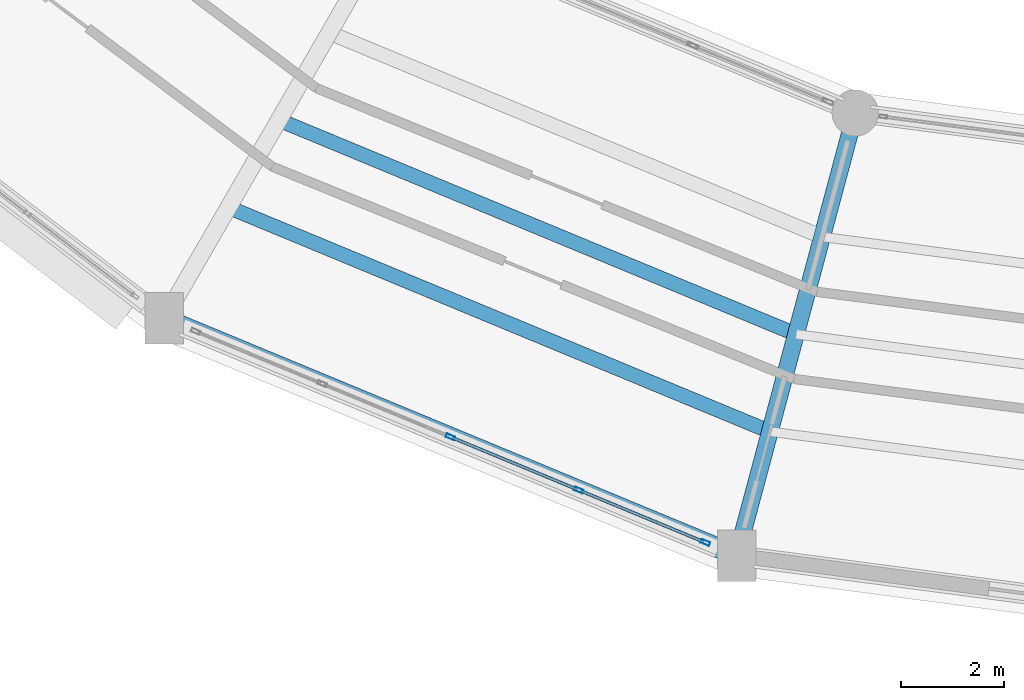
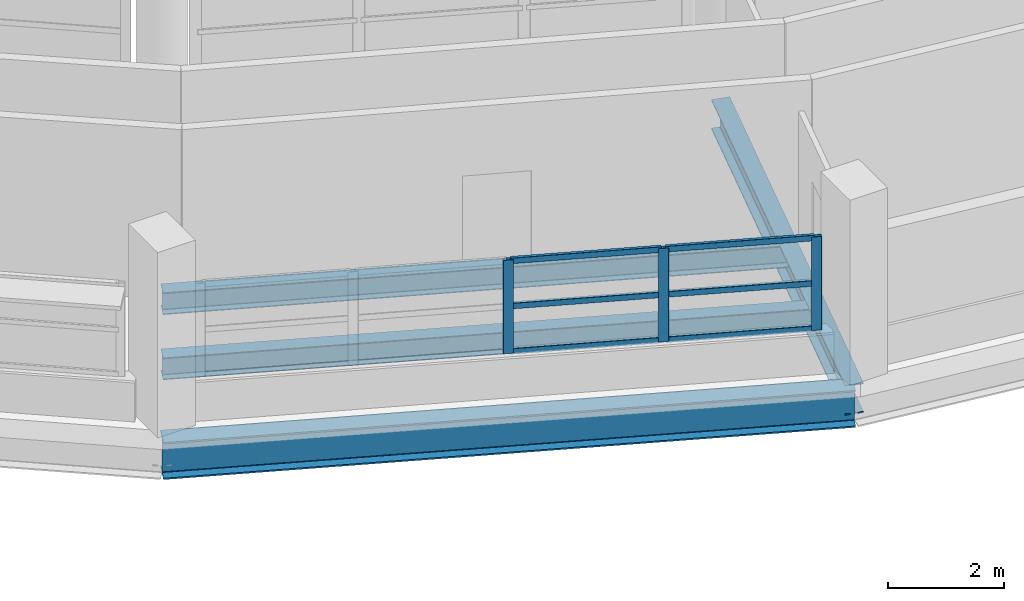
# One storey, part 18 of 108: 9 members, 4 beams, 1 element without a shape of its own.
"""IFC4 building model written with IfcOpenShell, lengths in metres."""

from ifc_helpers import new_model, si_unit, direction, frame, origin, origin_2d, place, context, subcontext, project, spatial, hollow_rectangle, i_section, extrude, material, layer, layer_set, material_profile, profile_set, type_object, element, aggregate, save


model = new_model("IFC4")

# Units and contexts
model_context = context("Model", 3, precision=1e-05, world=origin(), true_north=direction((0.0, 1.0)))
body_context = subcontext(model_context, "Body", "Model", "MODEL_VIEW")
ifc_project = project(units=[si_unit("LENGTHUNIT", "METRE"), si_unit("AREAUNIT", "SQUARE_METRE"), si_unit("VOLUMEUNIT", "CUBIC_METRE"), si_unit("PLANEANGLEUNIT", "RADIAN"), si_unit("MASSUNIT", "GRAM", prefix="KILO")], contexts=[model_context])

# Site, building, storey
site_placement = place(None, origin())
site = spatial("IfcSite", under=ifc_project, at=site_placement, CompositionType="ELEMENT")
building_placement = place(site_placement, origin())
building = spatial("IfcBuilding", under=site, at=building_placement, Name="Vespera Passage Community Centre", CompositionType="ELEMENT")
storey_placement = place(building_placement, frame((0.0, 0.0, 12.60009765625)))
storey = spatial("IfcBuildingStorey", under=building, at=storey_placement, Name="L03", CompositionType="ELEMENT", Elevation=12.60009765625)

# Beams
ifc_material_1 = material(Name="Steel ASTM A992 Grade 50", Category="steel")
ifc_material_profile_1 = material_profile(ifc_material_1, i_section(OverallWidth=0.32763671875, OverallDepth=0.62841796875, WebThickness=0.0166015625, FlangeThickness=0.027587890625, FilletRadius=0.0126953125, at=origin_2d()), Name="W24X146")
ifc_profile_set_1 = profile_set([ifc_material_profile_1], Name="Steel ASTM A992 Grade 50")
beam_type_1 = type_object("IfcBeamType", Name="BM-G-W24X146", PredefinedType="BEAM", material=ifc_profile_set_1)
beam_1_placement = place(storey_placement, frame((68.371826171875, 29.567626953125, -0.71435546875), z_axis=(-0.258811497245, -0.9659278487, 0.0), x_axis=(0.9659278487, -0.258811497245, 0.0)))
element("IfcBeam", 1, at=beam_1_placement, inside=storey, type_object=beam_type_1, Name="V4 L03 Radial Girder 17", PredefinedType="BEAM", context=body_context, shape_type="SweptSolid", body=[
    extrude(i_section(OverallWidth=0.32763671875, OverallDepth=0.62841796875, WebThickness=0.0166015625, FlangeThickness=0.027587890625, FilletRadius=0.0126953125, at=origin_2d()), origin(), (0.0, 0.0, 1.0), 8.900146484375),
])
ifc_material_2 = material(Name="Steel ASTM A992 Grade 50", Category="steel")
ifc_material_profile_2 = material_profile(ifc_material_2, i_section(OverallWidth=0.280517578125, OverallDepth=0.46240234375, WebThickness=0.0107421875, FlangeThickness=0.017333984375, FilletRadius=0.01025390625, at=origin_2d()), Name="W18X76")
ifc_profile_set_2 = profile_set([ifc_material_profile_2], Name="Steel ASTM A992 Grade 50")
beam_type_2 = type_object("IfcBeamType", Name="BM-J-W18X76", PredefinedType="JOIST", material=ifc_profile_set_2)
beam_2_placement = place(storey_placement, frame((57.175048828125, 29.43017578125, -0.63134765625), z_axis=(0.923878079901, -0.382686939258, 0.0), x_axis=(0.382686939258, 0.923878079901, 0.0)))
element("IfcBeam", 2, at=beam_2_placement, inside=storey, type_object=beam_type_2, Name="V4 L03 Floor Joist 16.2", PredefinedType="JOIST", context=body_context, shape_type="SweptSolid", body=[
    extrude(i_section(OverallWidth=0.280517578125, OverallDepth=0.46240234375, WebThickness=0.0107421875, FlangeThickness=0.017333984375, FilletRadius=0.01025390625, at=origin_2d()), origin(), (0.0, 0.0, 1.0), 10.872802734375),
])
beam_3_placement = place(storey_placement, frame((56.196044921875, 27.734375, -0.63134765625), z_axis=(0.923878820173, -0.382685152097, 0.0), x_axis=(0.382685152097, 0.923878820173, 0.0)))
element("IfcBeam", 3, at=beam_3_placement, inside=storey, type_object=beam_type_2, Name="V4 L03 Floor Joist 16.3", PredefinedType="JOIST", context=body_context, shape_type="SweptSolid", body=[
    extrude(i_section(OverallWidth=0.280517578125, OverallDepth=0.46240234375, WebThickness=0.0107421875, FlangeThickness=0.017333984375, FilletRadius=0.01025390625, at=origin_2d()), origin(), (0.0, 0.0, 1.0), 11.3837890625),
])
ifc_material_3 = material(Name="Steel ASTM A992 Grade 50", Category="steel")
ifc_material_profile_3 = material_profile(ifc_material_3, i_section(OverallWidth=0.382080078125, OverallDepth=0.779296875, WebThickness=0.01806640625, FlangeThickness=0.030029296875, FilletRadius=0.0166015625, at=origin_2d()), Name="W30X191")
ifc_profile_set_3 = profile_set([ifc_material_profile_3], Name="Steel ASTM A992 Grade 50")
beam_type_3 = type_object("IfcBeamType", Name="BM-SP-W30X191E", PredefinedType="SPANDREL", material=ifc_profile_set_3)
beam_4_placement = place(storey_placement, frame((54.949951171875, 25.576171875, -0.789794921875), z_axis=(0.923877379647, -0.382688629799, 0.0), x_axis=(0.382688629799, 0.923877379647, 0.0)))
element("IfcBeam", 4, at=beam_4_placement, inside=storey, type_object=beam_type_3, Name="V4 L03 Outer Spandrel 16", PredefinedType="SPANDREL", context=body_context, shape_type="SweptSolid", body=[
    extrude(i_section(OverallWidth=0.382080078125, OverallDepth=0.779296875, WebThickness=0.01806640625, FlangeThickness=0.030029296875, FilletRadius=0.0166015625, at=origin_2d()), origin(), (0.0, 0.0, 1.0), 12.034423828125),
])

# Curtain wall, members
ifc_material_4 = material(Name="Anodized aluminium 6063-T6", Category="aluminium")
ifc_layer = layer(ifc_material_4, 0.159912109375)
ifc_layer_set = layer_set([ifc_layer], Name="Anodized aluminium 6063-T6")
curtain_wall_type = type_object("IfcCurtainWallType", Name="CW-39E", PredefinedType="NOTDEFINED", material=ifc_layer_set)
curtain_wall_placement = place(storey_placement, origin())
curtain_wall = element("IfcCurtainWall", 5, at=curtain_wall_placement, inside=storey, type_object=curtain_wall_type, Name="V4 L03 Outer Ribbon Curtain Wall 16", PredefinedType="NOTDEFINED")
ifc_material_5 = material(Name="Anodized aluminium 6063-T6", Category="aluminium")
ifc_material_profile_4 = material_profile(ifc_material_5, hollow_rectangle(XDim=0.074951171875, YDim=0.179931640625, WallThickness=0.0048828125, InnerFilletRadius=0.00244140625, OuterFilletRadius=0.0048828125, at=origin_2d()), Name="ALU180X75X5")
ifc_profile_set_4 = profile_set([ifc_material_profile_4], Name="Anodized aluminium 6063-T6")
member_type_1 = type_object("IfcMemberType", Name="MB-CWM-180E", PredefinedType="MULLION", material=ifc_profile_set_4)
member_1_placement = place(storey_placement, frame((65.460205078125, 21.22265625, 0.81982421875), z_axis=(0.0, 0.0, 1.0), x_axis=(-0.382682936255, -0.923879738007, 0.0)))
member_1 = element("IfcMember", 6, at=member_1_placement, type_object=member_type_1, Name="CW-39E mullion 1", PredefinedType="MULLION", context=body_context, shape_type="SweptSolid", body=[
    extrude(hollow_rectangle(XDim=0.074951171875, YDim=0.179931640625, WallThickness=0.0048828125, InnerFilletRadius=0.00244140625, OuterFilletRadius=0.0048828125, at=origin_2d()), origin(), (0.0, 0.0, 1.0), 1.965576171875),
])
member_2_placement = place(storey_placement, frame((63.001953125, 22.240966796875, 0.81982421875), z_axis=(0.0, 0.0, 1.0), x_axis=(-0.382682936255, -0.923879738007, 0.0)))
member_2 = element("IfcMember", 7, at=member_2_placement, type_object=member_type_1, Name="CW-39E mullion 2", PredefinedType="MULLION", context=body_context, shape_type="SweptSolid", body=[
    extrude(hollow_rectangle(XDim=0.074951171875, YDim=0.179931640625, WallThickness=0.0048828125, InnerFilletRadius=0.00244140625, OuterFilletRadius=0.0048828125, at=origin_2d()), origin(), (0.0, 0.0, 1.0), 1.965576171875),
])
member_3_placement = place(storey_placement, frame((60.50927734375, 23.2734375, 0.81982421875), z_axis=(0.0, 0.0, 1.0), x_axis=(-0.382682936255, -0.923879738007, 0.0)))
member_3 = element("IfcMember", 8, at=member_3_placement, type_object=member_type_1, Name="CW-39E mullion 3", PredefinedType="MULLION", context=body_context, shape_type="SweptSolid", body=[
    extrude(hollow_rectangle(XDim=0.074951171875, YDim=0.179931640625, WallThickness=0.0048828125, InnerFilletRadius=0.00244140625, OuterFilletRadius=0.0048828125, at=origin_2d()), origin(), (0.0, 0.0, 1.0), 1.965576171875),
])
ifc_material_6 = material(Name="Anodized aluminium 6063-T6", Category="aluminium")
ifc_material_profile_5 = material_profile(ifc_material_6, hollow_rectangle(XDim=0.06005859375, YDim=0.1201171875, WallThickness=0.00390625, InnerFilletRadius=0.001953125, OuterFilletRadius=0.00390625, at=origin_2d()), Name="ALU120X60X4")
ifc_profile_set_5 = profile_set([ifc_material_profile_5], Name="Anodized aluminium 6063-T6")
member_type_2 = type_object("IfcMemberType", Name="MB-CWT-120E", PredefinedType="USERDEFINED", material=ifc_profile_set_5)
member_4_placement = place(storey_placement, frame((65.425537109375, 21.237060546875, 0.849853515625), z_axis=(-0.923882193286, 0.382677008624, 0.0), x_axis=(-0.382677008624, -0.923882193286, 0.0)))
member_4 = element("IfcMember", 9, at=member_4_placement, type_object=member_type_2, Name="CW-39E transom 1.1", ObjectType="TRANSOM", PredefinedType="USERDEFINED", context=body_context, shape_type="SweptSolid", body=[
    extrude(hollow_rectangle(XDim=0.06005859375, YDim=0.1201171875, WallThickness=0.00390625, InnerFilletRadius=0.001953125, OuterFilletRadius=0.00390625, at=origin_2d()), origin(), (0.0, 0.0, 1.0), 2.585693359375),
])
member_5_placement = place(storey_placement, frame((65.425537109375, 21.237060546875, 1.802734375), z_axis=(-0.923882193286, 0.382677008624, 0.0), x_axis=(-0.382677008624, -0.923882193286, 0.0)))
member_5 = element("IfcMember", 10, at=member_5_placement, type_object=member_type_2, Name="CW-39E transom 1.2", ObjectType="TRANSOM", PredefinedType="USERDEFINED", context=body_context, shape_type="SweptSolid", body=[
    extrude(hollow_rectangle(XDim=0.06005859375, YDim=0.1201171875, WallThickness=0.00390625, InnerFilletRadius=0.001953125, OuterFilletRadius=0.00390625, at=origin_2d()), origin(), (0.0, 0.0, 1.0), 2.585693359375),
])
member_6_placement = place(storey_placement, frame((65.425537109375, 21.237060546875, 2.755615234375), z_axis=(-0.923882193286, 0.382677008624, 0.0), x_axis=(-0.382677008624, -0.923882193286, 0.0)))
member_6 = element("IfcMember", 11, at=member_6_placement, type_object=member_type_2, Name="CW-39E transom 1.3", ObjectType="TRANSOM", PredefinedType="USERDEFINED", context=body_context, shape_type="SweptSolid", body=[
    extrude(hollow_rectangle(XDim=0.06005859375, YDim=0.1201171875, WallThickness=0.00390625, InnerFilletRadius=0.001953125, OuterFilletRadius=0.00390625, at=origin_2d()), origin(), (0.0, 0.0, 1.0), 2.585693359375),
])
member_7_placement = place(storey_placement, frame((62.96728515625, 22.25537109375, 0.849853515625), z_axis=(-0.92389545334, 0.382644993822, 0.0), x_axis=(-0.382644993822, -0.92389545334, 0.0)))
member_7 = element("IfcMember", 12, at=member_7_placement, type_object=member_type_2, Name="CW-39E transom 2.1", ObjectType="TRANSOM", PredefinedType="USERDEFINED", context=body_context, shape_type="SweptSolid", body=[
    extrude(hollow_rectangle(XDim=0.06005859375, YDim=0.1201171875, WallThickness=0.00390625, InnerFilletRadius=0.001953125, OuterFilletRadius=0.00390625, at=origin_2d()), origin(), (0.0, 0.0, 1.0), 2.623046875),
])
member_8_placement = place(storey_placement, frame((62.96728515625, 22.25537109375, 1.802734375), z_axis=(-0.92389545334, 0.382644993822, 0.0), x_axis=(-0.382644993822, -0.92389545334, 0.0)))
member_8 = element("IfcMember", 13, at=member_8_placement, type_object=member_type_2, Name="CW-39E transom 2.2", ObjectType="TRANSOM", PredefinedType="USERDEFINED", context=body_context, shape_type="SweptSolid", body=[
    extrude(hollow_rectangle(XDim=0.06005859375, YDim=0.1201171875, WallThickness=0.00390625, InnerFilletRadius=0.001953125, OuterFilletRadius=0.00390625, at=origin_2d()), origin(), (0.0, 0.0, 1.0), 2.623046875),
])
member_9_placement = place(storey_placement, frame((62.96728515625, 22.25537109375, 2.755615234375), z_axis=(-0.92389545334, 0.382644993822, 0.0), x_axis=(-0.382644993822, -0.92389545334, 0.0)))
member_9 = element("IfcMember", 14, at=member_9_placement, type_object=member_type_2, Name="CW-39E transom 2.3", ObjectType="TRANSOM", PredefinedType="USERDEFINED", context=body_context, shape_type="SweptSolid", body=[
    extrude(hollow_rectangle(XDim=0.06005859375, YDim=0.1201171875, WallThickness=0.00390625, InnerFilletRadius=0.001953125, OuterFilletRadius=0.00390625, at=origin_2d()), origin(), (0.0, 0.0, 1.0), 2.623046875),
])
aggregate(curtain_wall, [member_1, member_2, member_3, member_4, member_5, member_6, member_7, member_8, member_9])

save(model, "model.ifc")
